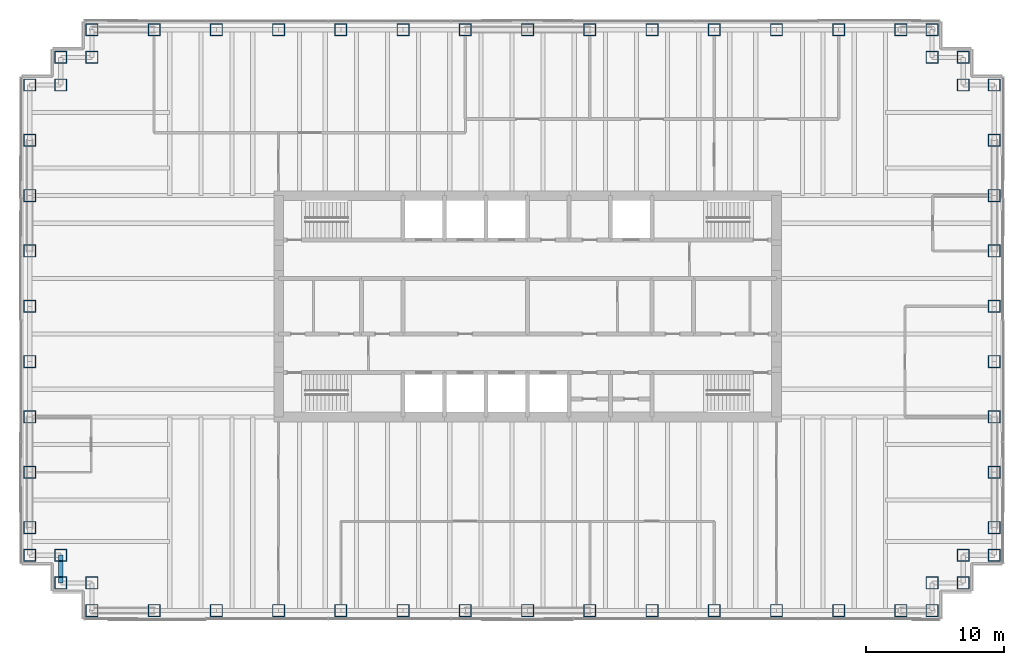
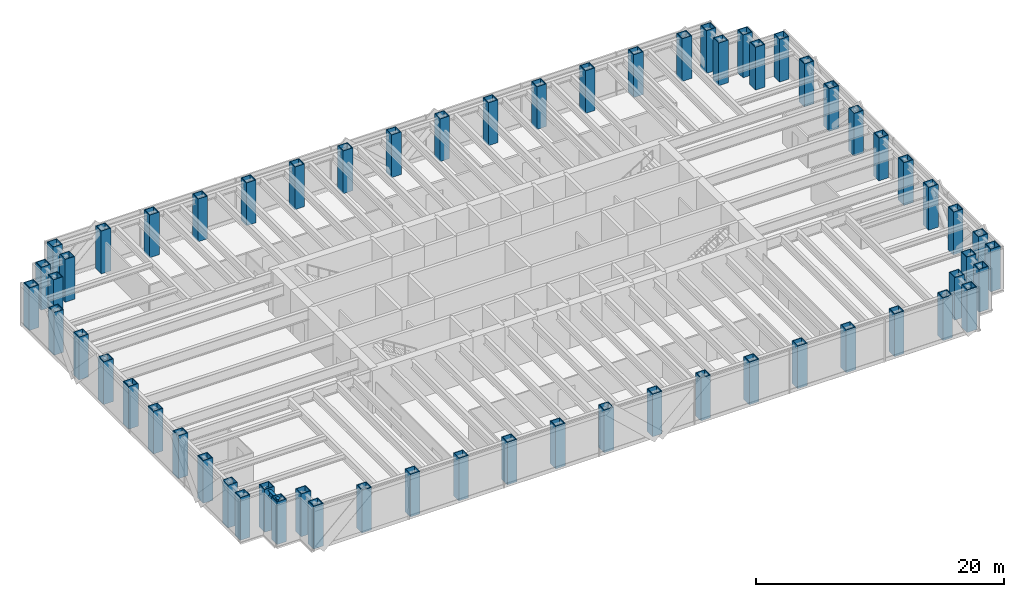
# One storey, part 1 of 17: 62 columns, 1 beam.
"""IFC4 building model written with IfcOpenShell, lengths in metres."""

from ifc_helpers import new_model, si_unit, direction, frame, origin, origin_2d, place, context, subcontext, project, spatial, hollow_rectangle, i_section, extrude, material, material_profile, profile_set, type_object, element, save


model = new_model("IFC4")

# Units and contexts
model_context = context("Model", 3, precision=1e-05, world=origin(), true_north=direction((0.0, 1.0)))
body_context = subcontext(model_context, "Body", "Model", "MODEL_VIEW")
ifc_project = project(units=[si_unit("LENGTHUNIT", "METRE"), si_unit("AREAUNIT", "SQUARE_METRE"), si_unit("VOLUMEUNIT", "CUBIC_METRE"), si_unit("PLANEANGLEUNIT", "RADIAN"), si_unit("MASSUNIT", "GRAM", prefix="KILO")], contexts=[model_context])

# Site, building, storey
site_placement = place(None, origin())
site = spatial("IfcSite", under=ifc_project, at=site_placement, CompositionType="ELEMENT")
building_placement = place(site_placement, origin())
building = spatial("IfcBuilding", under=site, at=building_placement, Name="Rheinbord Bourse Tower", CompositionType="ELEMENT")
storey_placement = place(building_placement, frame((0.0, 0.0, 304.699951171875)))
storey = spatial("IfcBuildingStorey", under=building, at=storey_placement, Name="L69", CompositionType="ELEMENT", Elevation=304.699951171875)

# Columns
ifc_material_1 = material(Name="Steel S460M", Category="steel")
ifc_material_profile_1 = material_profile(ifc_material_1, hollow_rectangle(XDim=0.89990234375, YDim=0.89990234375, WallThickness=0.06005859375, at=origin_2d()), Name="BOX 900x900x60")
ifc_profile_set_1 = profile_set([ifc_material_profile_1], Name="Steel S460M")
column_type = type_object("IfcColumnType", Name="TUBE COLUMN BOX 900x900x60", PredefinedType="COLUMN", material=ifc_profile_set_1)
for number, where, z_axis, x_axis, name in (
    (1, (4.5, 2.0, 0.0), (0.0, 0.0, 1.0), (0.0, 1.0, 0.0), "Column SW-E L69"),
    (2, (9.0, 2.0, 0.0), (0.0, 0.0, 1.0), (0.0, 1.0, 0.0), "Column S-9 L69"),
    (3, (13.5, 2.0, 0.0), (0.0, 0.0, 1.0), (0.0, 1.0, 0.0), "Column S-13.5 L69"),
    (4, (18.0, 2.0, 0.0), (0.0, 0.0, 1.0), (0.0, 1.0, 0.0), "Column S-18 L69"),
    (5, (22.5, 2.0, 0.0), (0.0, 0.0, 1.0), (0.0, 1.0, 0.0), "Column S-22.5 L69"),
    (6, (27.0, 2.0, 0.0), (0.0, 0.0, 1.0), (0.0, 1.0, 0.0), "Column S-27 L69"),
    (7, (31.5, 2.0, 0.0), (0.0, 0.0, 1.0), (0.0, 1.0, 0.0), "Column S-31.5 L69"),
    (8, (36.0, 2.0, 0.0), (0.0, 0.0, 1.0), (0.0, 1.0, 0.0), "Column S-36 L69"),
    (9, (40.5, 2.0, 0.0), (0.0, 0.0, 1.0), (0.0, 1.0, 0.0), "Column S-40.5 L69"),
    (10, (45.0, 2.0, 0.0), (0.0, 0.0, 1.0), (0.0, 1.0, 0.0), "Column S-45 L69"),
    (11, (49.5, 2.0, 0.0), (0.0, 0.0, 1.0), (0.0, 1.0, 0.0), "Column S-49.5 L69"),
    (12, (54.0, 2.0, 0.0), (0.0, 0.0, 1.0), (0.0, 1.0, 0.0), "Column S-54 L69"),
    (13, (58.5, 2.0, 0.0), (0.0, 0.0, 1.0), (0.0, 1.0, 0.0), "Column S-58.5 L69"),
    (14, (63.0, 2.0, 0.0), (0.0, 0.0, 1.0), (0.0, 1.0, 0.0), "Column S-63 L69"),
    (15, (65.25, 2.0, 0.0), (0.0, 0.0, 1.0), (0.0, 1.0, 0.0), "Column SE-E L69"),
    (16, (65.25, 4.0, 0.0), (0.0, 0.0, 1.0), (0.0, 1.0, 0.0), "Column SE-D L69"),
    (17, (67.5, 4.0, 0.0), (0.0, 0.0, 1.0), (1.0, 0.0, 0.0), "Column SE-C L69"),
    (18, (67.5, 6.0, 0.0), (0.0, 0.0, 1.0), (1.0, 0.0, 0.0), "Column SE-B L69"),
    (19, (69.75, 6.0, 0.0), (0.0, 0.0, 1.0), (1.0, 0.0, 0.0), "Column SE-A L69"),
    (20, (69.75, 8.0, 0.0), (0.0, 0.0, 1.0), (1.0, 0.0, 0.0), "Column E-8 L69"),
    (21, (69.75, 12.0, 0.0), (0.0, 0.0, 1.0), (1.0, 0.0, 0.0), "Column E-12 L69"),
    (22, (69.75, 16.0, 0.0), (0.0, 0.0, 1.0), (1.0, 0.0, 0.0), "Column E-16 L69"),
    (23, (69.75, 20.0, 0.0), (0.0, 0.0, 1.0), (1.0, 0.0, 0.0), "Column E-20 L69"),
    (24, (69.75, 24.0, 0.0), (0.0, 0.0, 1.0), (1.0, 0.0, 0.0), "Column E-24 L69"),
    (25, (69.75, 28.0, 0.0), (0.0, 0.0, 1.0), (1.0, 0.0, 0.0), "Column E-28 L69"),
    (26, (69.75, 32.0, 0.0), (0.0, 0.0, 1.0), (1.0, 0.0, 0.0), "Column E-32 L69"),
    (27, (69.75, 36.0, 0.0), (0.0, 0.0, 1.0), (1.0, 0.0, 0.0), "Column E-36 L69"),
    (28, (69.75, 40.0, 0.0), (0.0, 0.0, 1.0), (1.0, 0.0, 0.0), "Column NE-A L69"),
    (29, (67.5, 40.0, 0.0), (0.0, 0.0, 1.0), (1.0, 0.0, 0.0), "Column NE-B L69"),
    (30, (67.5, 42.0, 0.0), (0.0, 0.0, 1.0), (1.0, 0.0, 0.0), "Column NE-C L69"),
    (31, (65.25, 42.0, 0.0), (0.0, 0.0, 1.0), (0.0, 1.0, 0.0), "Column NE-D L69"),
    (32, (65.25, 44.0, 0.0), (0.0, 0.0, 1.0), (0.0, 1.0, 0.0), "Column NE-E L69"),
    (33, (63.0, 44.0, 0.0), (0.0, 0.0, 1.0), (0.0, 1.0, 0.0), "Column N-63 L69"),
    (34, (58.5, 44.0, 0.0), (0.0, 0.0, 1.0), (0.0, 1.0, 0.0), "Column N-58.5 L69"),
    (35, (54.0, 44.0, 0.0), (0.0, 0.0, 1.0), (0.0, 1.0, 0.0), "Column N-54 L69"),
    (36, (49.5, 44.0, 0.0), (0.0, 0.0, 1.0), (0.0, 1.0, 0.0), "Column N-49.5 L69"),
    (37, (45.0, 44.0, 0.0), (0.0, 0.0, 1.0), (0.0, 1.0, 0.0), "Column N-45 L69"),
    (38, (40.5, 44.0, 0.0), (0.0, 0.0, 1.0), (0.0, 1.0, 0.0), "Column N-40.5 L69"),
    (39, (36.0, 44.0, 0.0), (0.0, 0.0, 1.0), (0.0, 1.0, 0.0), "Column N-36 L69"),
    (40, (31.5, 44.0, 0.0), (0.0, 0.0, 1.0), (0.0, 1.0, 0.0), "Column N-31.5 L69"),
    (41, (27.0, 44.0, 0.0), (0.0, 0.0, 1.0), (0.0, 1.0, 0.0), "Column N-27 L69"),
    (42, (22.5, 44.0, 0.0), (0.0, 0.0, 1.0), (0.0, 1.0, 0.0), "Column N-22.5 L69"),
    (43, (18.0, 44.0, 0.0), (0.0, 0.0, 1.0), (0.0, 1.0, 0.0), "Column N-18 L69"),
    (44, (13.5, 44.0, 0.0), (0.0, 0.0, 1.0), (0.0, 1.0, 0.0), "Column N-13.5 L69"),
    (45, (9.0, 44.0, 0.0), (0.0, 0.0, 1.0), (0.0, 1.0, 0.0), "Column N-9 L69"),
    (46, (4.5, 44.0, 0.0), (0.0, 0.0, 1.0), (0.0, 1.0, 0.0), "Column NW-E L69"),
    (47, (4.5, 42.0, 0.0), (0.0, 0.0, 1.0), (0.0, 1.0, 0.0), "Column NW-D L69"),
    (48, (2.25, 42.0, 0.0), (0.0, 0.0, 1.0), (1.0, 0.0, 0.0), "Column NW-C L69"),
    (49, (2.25, 40.0, 0.0), (0.0, 0.0, 1.0), (1.0, 0.0, 0.0), "Column NW-B L69"),
    (50, (0.0, 40.0, 0.0), (0.0, 0.0, 1.0), (1.0, 0.0, 0.0), "Column NW-A L69"),
    (51, (0.0, 36.0, 0.0), (0.0, 0.0, 1.0), (1.0, 0.0, 0.0), "Column W-36 L69"),
    (52, (0.0, 32.0, 0.0), (0.0, 0.0, 1.0), (1.0, 0.0, 0.0), "Column W-32 L69"),
    (53, (0.0, 28.0, 0.0), (0.0, 0.0, 1.0), (1.0, 0.0, 0.0), "Column W-28 L69"),
    (54, (0.0, 24.0, 0.0), (0.0, 0.0, 1.0), (1.0, 0.0, 0.0), "Column W-24 L69"),
    (55, (0.0, 20.0, 0.0), (0.0, 0.0, 1.0), (1.0, 0.0, 0.0), "Column W-20 L69"),
    (56, (0.0, 16.0, 0.0), (0.0, 0.0, 1.0), (1.0, 0.0, 0.0), "Column W-16 L69"),
    (57, (0.0, 12.0, 0.0), (0.0, 0.0, 1.0), (1.0, 0.0, 0.0), "Column W-12 L69"),
    (58, (0.0, 8.0, 0.0), (0.0, 0.0, 1.0), (1.0, 0.0, 0.0), "Column W-8 L69"),
    (59, (0.0, 6.0, 0.0), (0.0, 0.0, 1.0), (1.0, 0.0, 0.0), "Column SW-A L69"),
    (60, (2.25, 6.0, 0.0), (0.0, 0.0, 1.0), (1.0, 0.0, 0.0), "Column SW-B L69"),
    (61, (2.25, 4.0, 0.0), (0.0, 0.0, 1.0), (1.0, 0.0, 0.0), "Column SW-C L69"),
    (62, (4.5, 4.0, 0.0), (0.0, 0.0, 1.0), (0.0, 1.0, 0.0), "Column SW-D L69"),
):
    element("IfcColumn", number, at=place(storey_placement, frame(where, z_axis=z_axis, x_axis=x_axis)), inside=storey, type_object=column_type, Name=name, PredefinedType="COLUMN", context=body_context, shape_type="SweptSolid", body=[
        extrude(hollow_rectangle(XDim=0.89990234375, YDim=0.89990234375, WallThickness=0.06005859375, at=origin_2d()), origin(), (0.0, 0.0, 1.0), 4.199951171875),
    ])

# Beam
ifc_material_2 = material(Name="Steel S460", Category="steel")
ifc_material_profile_2 = material_profile(ifc_material_2, i_section(OverallWidth=0.300048828125, OverallDepth=0.550048828125, WebThickness=0.014892578125, FlangeThickness=0.029052734375, at=origin_2d()), Name="HEB 550")
ifc_profile_set_2 = profile_set([ifc_material_profile_2], Name="Steel S460")
beam_type = type_object("IfcBeamType", Name="SPANDREL HEB 550", PredefinedType="SPANDREL", material=ifc_profile_set_2)
beam_placement = place(storey_placement, frame((2.25, 6.0, 3.76513671875), z_axis=(0.0, -1.0, 0.0), x_axis=(1.0, 0.0, 0.0)))
element("IfcBeam", 63, at=beam_placement, inside=storey, type_object=beam_type, Name="Spandrel SW-B-SW-C under L70", PredefinedType="SPANDREL", context=body_context, shape_type="SweptSolid", body=[
    extrude(i_section(OverallWidth=0.300048828125, OverallDepth=0.550048828125, WebThickness=0.014892578125, FlangeThickness=0.029052734375, at=origin_2d()), origin(), (0.0, 0.0, 1.0), 2.0),
])

save(model, "model.ifc")
